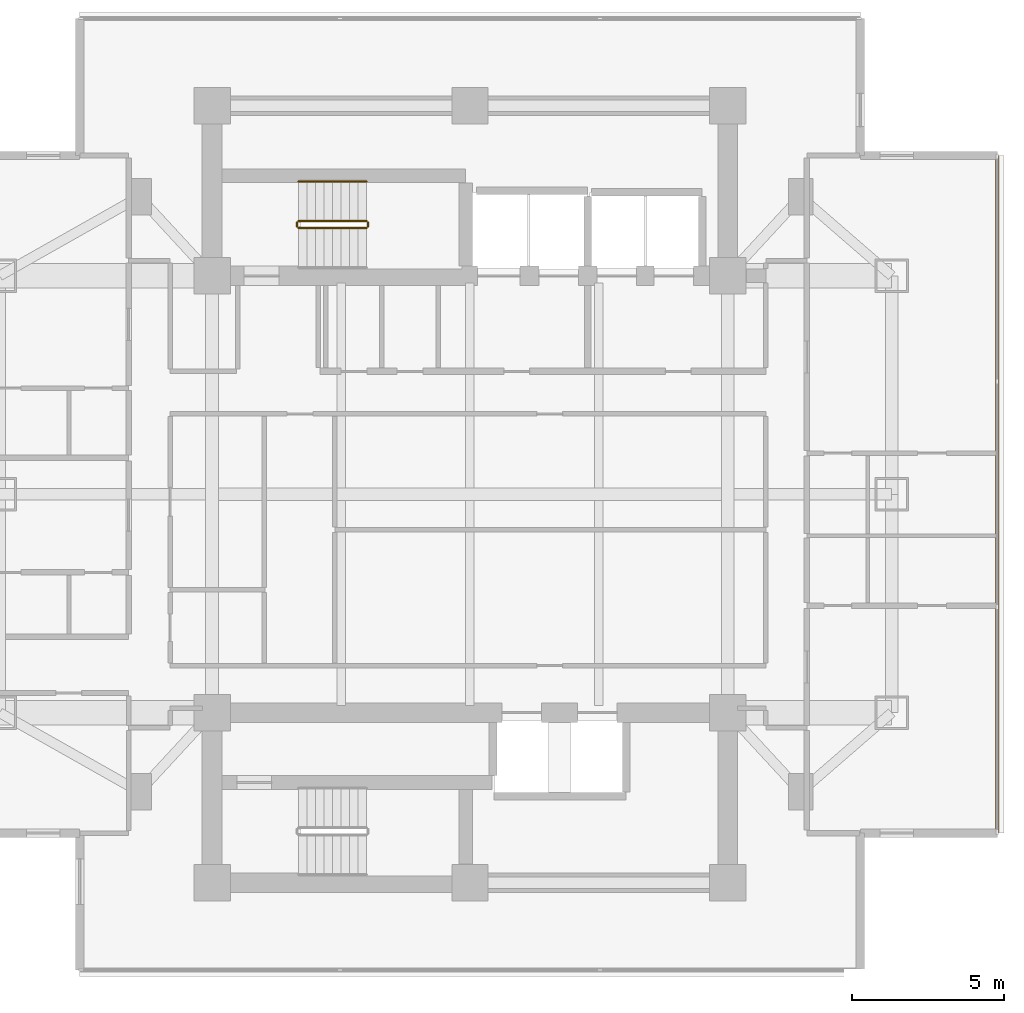
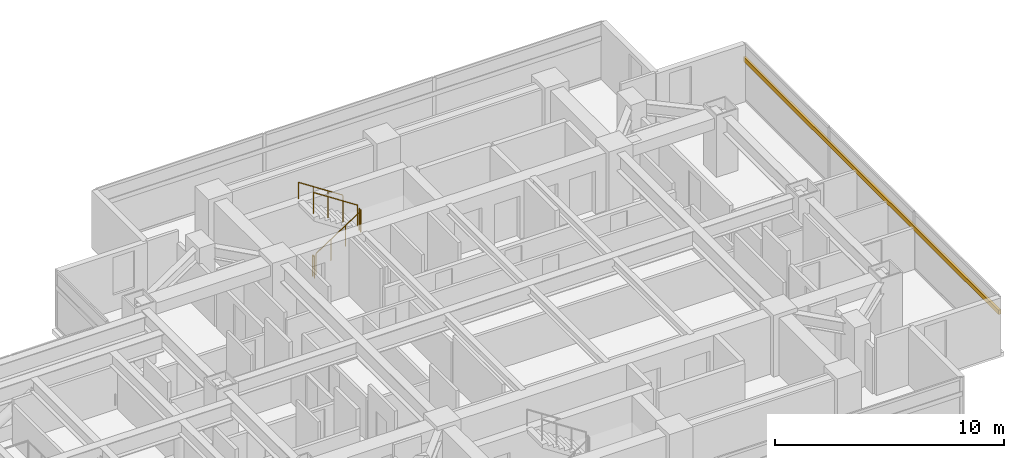
# One storey, part 27 of 28: 5 railings, 1 shading device.
"""IFC4 building model written with IfcOpenShell, lengths in metres."""

from ifc_helpers import new_model, si_unit, direction, frame, origin, origin_2d, place, context, subcontext, project, spatial, rectangle, circle, extrude, material, material_profile, profile_set, type_object, element, save


model = new_model("IFC4")

# Units and contexts
model_context = context("Model", 3, precision=1e-05, world=origin(), true_north=direction((0.0, 1.0)))
body_context = subcontext(model_context, "Body", "Model", "MODEL_VIEW")
ifc_project = project(units=[si_unit("LENGTHUNIT", "METRE"), si_unit("AREAUNIT", "SQUARE_METRE"), si_unit("VOLUMEUNIT", "CUBIC_METRE"), si_unit("PLANEANGLEUNIT", "RADIAN"), si_unit("MASSUNIT", "GRAM", prefix="KILO")], contexts=[model_context])

# Site, building, storey
site_placement = place(None, origin())
site = spatial("IfcSite", under=ifc_project, at=site_placement, CompositionType="ELEMENT")
building_placement = place(site_placement, origin())
building = spatial("IfcBuilding", under=site, at=building_placement, Name="Mirazonda Arch Towers", CompositionType="ELEMENT")
storey_placement = place(building_placement, frame((0.0, 0.0, 91.699951171875)))
storey = spatial("IfcBuildingStorey", under=building, at=storey_placement, Name="L25", CompositionType="ELEMENT", Elevation=91.699951171875)

# Shading device
ifc_material_1 = material(Name="Kiln-Fired Architectural Terracotta", Category="masonry")
ifc_material_profile = material_profile(ifc_material_1, rectangle(XDim=0.1201171875, YDim=0.239990234375, at=origin_2d()), Name="TERRA-BAG-120x240")
ifc_profile_set = profile_set([ifc_material_profile], Name="Kiln-Fired Architectural Terracotta")
shading_device_type = type_object("IfcShadingDeviceType", Name="BAGUETTE-1", PredefinedType="USERDEFINED", material=ifc_profile_set)
shading_device_placement = place(storey_placement, frame((93.880615234375, 16.83544921875, 2.203369140625), z_axis=(0.0, 1.0, 0.0), x_axis=(-1.0, 0.0, 0.0)))
element("IfcShadingDevice", 1, at=shading_device_placement, inside=storey, type_object=shading_device_type, Name="L25 Glazed Terracotta Sun-Screen Baguette CW-L25-T2-E", ObjectType="BAGUETTE", PredefinedType="USERDEFINED", context=body_context, shape_type="SweptSolid", body=[
    extrude(rectangle(XDim=0.1201171875, YDim=0.239990234375, at=origin_2d()), origin(), (0.0, 0.0, 1.0), 22.3291015625),
])

# Railings
ifc_material_2 = material(Name="Architectural Brushed Steel S355", Category="steel")
railing_type_1 = type_object("IfcRailingType", Name="GUARD-STAIR-1120", PredefinedType="GUARDRAIL", material=ifc_material_2)
railing_1_placement = place(storey_placement, frame((70.85009765625, 36.77001953125, 0.183349609375)))
element("IfcRailing", 2, at=railing_1_placement, inside=storey, type_object=railing_type_1, Name="L25 ST-T2N stair guard 1", PredefinedType="GUARDRAIL", context=body_context, shape_type="SweptSolid", body=[
    extrude(circle(Radius=0.02392578125, at=origin_2d()), frame((0.0, 0.0, 1.1259765625), z_axis=(0.836595146698, 0.0, 0.547821650285), x_axis=(0.0, 1.0, 0.0)), (0.0, 0.0, 1.0), 2.677490234375),
    extrude(circle(Radius=0.02099609375, at=origin_2d()), origin(), (0.0, 0.0, 1.0), 1.101806640625),
    extrude(circle(Radius=0.02099609375, at=origin_2d()), frame((0.74658203125, 0.0, 0.489013671875)), (0.0, 0.0, 1.0), 1.101806640625),
    extrude(circle(Radius=0.02099609375, at=origin_2d()), frame((1.493408203125, 0.0, 0.977783203125)), (0.0, 0.0, 1.0), 1.101806640625),
    extrude(circle(Radius=0.02099609375, at=origin_2d()), frame((2.239990234375, 0.0, 1.466796875)), (0.0, 0.0, 1.0), 1.101806640625),
])
railing_2_placement = place(storey_placement, frame((73.139892578125, 36.820068359375, 1.650146484375)))
element("IfcRailing", 3, at=railing_2_placement, inside=storey, type_object=railing_type_1, Name="L25 ST-T2N stair guard 2", PredefinedType="GUARDRAIL", context=body_context, shape_type="SweptSolid", body=[
    extrude(circle(Radius=0.02392578125, at=origin_2d()), frame((0.0, 0.0, 1.1259765625), z_axis=(0.0, 1.0, 0.0), x_axis=(-1.0, 0.0, 0.0)), (0.0, 0.0, 1.0), 0.139892578125),
    extrude(circle(Radius=0.02099609375, at=origin_2d()), origin(), (0.0, 0.0, 1.0), 1.101806640625),
    extrude(circle(Radius=0.02099609375, at=origin_2d()), frame((0.0, 0.139892578125, 0.0)), (0.0, 0.0, 1.0), 1.101806640625),
])
railing_3_placement = place(storey_placement, frame((73.090087890625, 37.010009765625, 1.83349609375)))
element("IfcRailing", 4, at=railing_3_placement, inside=storey, type_object=railing_type_1, Name="L25 ST-T2N stair guard 3", PredefinedType="GUARDRAIL", context=body_context, shape_type="SweptSolid", body=[
    extrude(circle(Radius=0.02392578125, at=origin_2d()), frame((0.0, 0.0, 1.1259765625), z_axis=(-0.836636935527, 0.0, 0.547757827979), x_axis=(0.0, -1.0, 0.0)), (0.0, 0.0, 1.0), 2.677490234375),
    extrude(circle(Radius=0.02099609375, at=origin_2d()), origin(), (0.0, 0.0, 1.0), 1.101806640625),
    extrude(circle(Radius=0.02099609375, at=origin_2d()), frame((-0.74658203125, 0.0, 0.48876953125)), (0.0, 0.0, 1.0), 1.101806640625),
    extrude(circle(Radius=0.02099609375, at=origin_2d()), frame((-1.493408203125, 0.0, 0.977783203125)), (0.0, 0.0, 1.0), 1.101806640625),
    extrude(circle(Radius=0.02099609375, at=origin_2d()), frame((-2.239990234375, 0.0, 1.466552734375)), (0.0, 0.0, 1.0), 1.101806640625),
])
railing_4_placement = place(storey_placement, frame((70.800048828125, 36.820068359375, 0.0)))
element("IfcRailing", 5, at=railing_4_placement, inside=storey, type_object=railing_type_1, Name="L25 ST-T2N stair guard 4", PredefinedType="GUARDRAIL", context=body_context, shape_type="SweptSolid", body=[
    extrude(circle(Radius=0.02392578125, at=origin_2d()), frame((0.0, 0.0, 1.1259765625), z_axis=(0.0, 1.0, 0.0), x_axis=(-1.0, 0.0, 0.0)), (0.0, 0.0, 1.0), 0.139892578125),
    extrude(circle(Radius=0.02099609375, at=origin_2d()), origin(), (0.0, 0.0, 1.0), 1.101806640625),
    extrude(circle(Radius=0.02099609375, at=origin_2d()), frame((0.0, 0.139892578125, 0.0)), (0.0, 0.0, 1.0), 1.101806640625),
])
railing_type_2 = type_object("IfcRailingType", Name="HANDRAIL-915", PredefinedType="HANDRAIL", material=ifc_material_2)
railing_5_placement = place(storey_placement, frame((73.090087890625, 38.31005859375, 1.83349609375)))
element("IfcRailing", 6, at=railing_5_placement, inside=storey, type_object=railing_type_2, Name="L25 ST-T2N stair handrail 2", PredefinedType="HANDRAIL", context=body_context, shape_type="SweptSolid", body=[
    extrude(circle(Radius=0.02392578125, at=origin_2d()), frame((0.0, 0.0, 0.8759765625), z_axis=(-0.836636935527, 0.0, 0.547757827979), x_axis=(0.0, -1.0, 0.0)), (0.0, 0.0, 1.0), 2.677490234375),
    extrude(circle(Radius=0.02099609375, at=origin_2d()), origin(), (0.0, 0.0, 1.0), 0.851806640625),
    extrude(circle(Radius=0.02099609375, at=origin_2d()), frame((-0.74658203125, 0.0, 0.48876953125)), (0.0, 0.0, 1.0), 0.851806640625),
    extrude(circle(Radius=0.02099609375, at=origin_2d()), frame((-1.493408203125, 0.0, 0.977783203125)), (0.0, 0.0, 1.0), 0.851806640625),
    extrude(circle(Radius=0.02099609375, at=origin_2d()), frame((-2.239990234375, 0.0, 1.466552734375)), (0.0, 0.0, 1.0), 0.851806640625),
])

save(model, "model.ifc")
